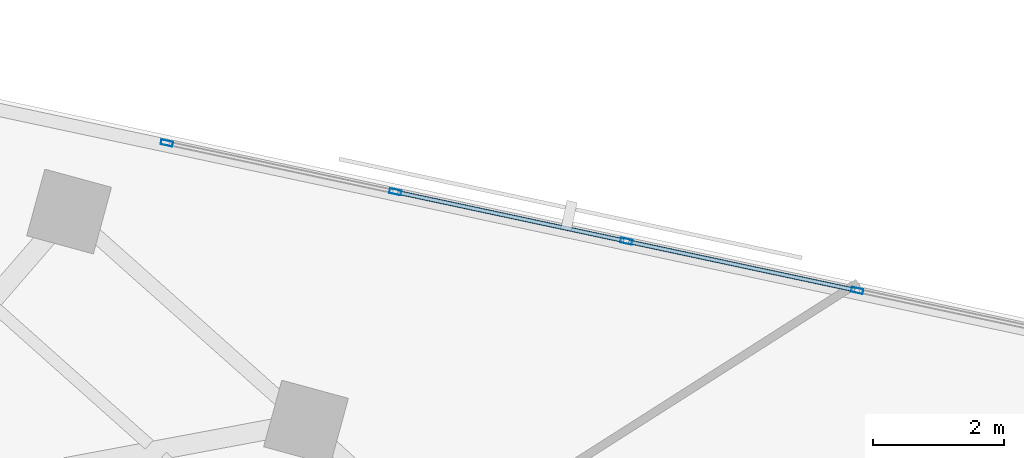
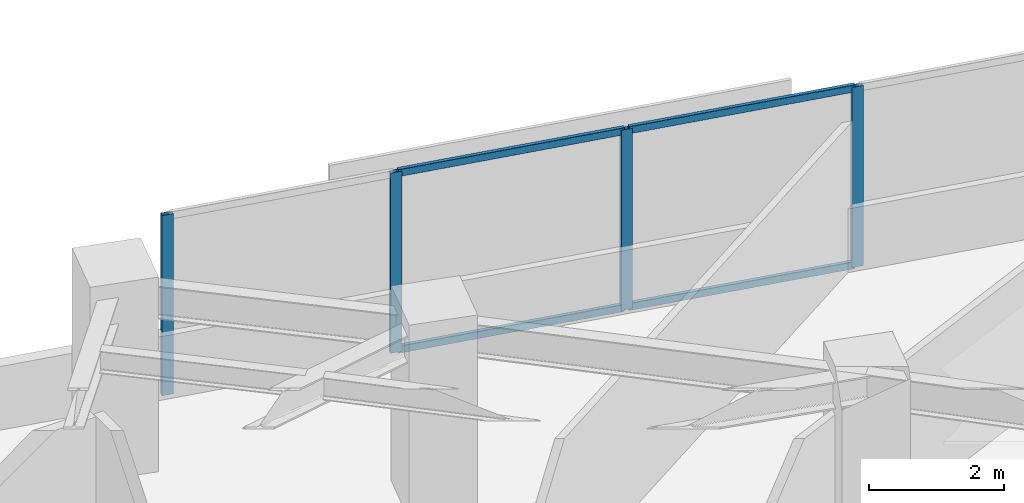
# One storey, part 4 of 13: 8 members, 1 element without a shape of its own.
"""IFC4 building model written with IfcOpenShell, lengths in metres."""

from ifc_helpers import new_model, si_unit, direction, frame, origin, origin_2d, place, context, subcontext, project, spatial, hollow_rectangle, extrude, material, material_profile, profile_set, type_object, element, aggregate, save


model = new_model("IFC4")

# Units and contexts
model_context = context("Model", 3, precision=1e-05, world=origin(), true_north=direction((0.0, 1.0)))
body_context = subcontext(model_context, "Body", "Model", "MODEL_VIEW")
ifc_project = project(units=[si_unit("LENGTHUNIT", "METRE"), si_unit("AREAUNIT", "SQUARE_METRE"), si_unit("VOLUMEUNIT", "CUBIC_METRE"), si_unit("PLANEANGLEUNIT", "RADIAN"), si_unit("MASSUNIT", "GRAM", prefix="KILO")], contexts=[model_context])

# Site, building, storey
site_placement = place(None, origin())
site = spatial("IfcSite", under=ifc_project, at=site_placement, CompositionType="ELEMENT")
building_placement = place(site_placement, origin())
building = spatial("IfcBuilding", under=site, at=building_placement, Name="Narakoshi Arena Tower", CompositionType="ELEMENT")
storey_placement = place(building_placement, frame((0.0, 0.0, 225.5400390625)))
storey = spatial("IfcBuildingStorey", under=building, at=storey_placement, Name="L61", CompositionType="ELEMENT", Elevation=225.5400390625)

# Curtain wall, members
ifc_material = material(Name="Anodised bronze aluminium 6063-T6", Category="aluminium")
curtain_wall_type = type_object("IfcCurtainWallType", Name="CW-HYP-MID", PredefinedType="NOTDEFINED", material=ifc_material)
curtain_wall_placement = place(storey_placement, origin())
curtain_wall = element("IfcCurtainWall", 1, at=curtain_wall_placement, inside=storey, type_object=curtain_wall_type, Name="L61 Folded Hypotenuse Curtain Wall 1-1", PredefinedType="NOTDEFINED")
ifc_material_profile_1 = material_profile(ifc_material, hollow_rectangle(XDim=0.074951171875, YDim=0.179931640625, WallThickness=0.00390625, OuterFilletRadius=0.0048828125, at=origin_2d()), Name="MUL180x75x4")
ifc_profile_set_1 = profile_set([ifc_material_profile_1], Name="Anodised bronze aluminium 6063-T6")
member_type_1 = type_object("IfcMemberType", Name="MEM-MUL-180", PredefinedType="MULLION", material=ifc_profile_set_1)
member_1_placement = place(storey_placement, frame((101.553955078125, 59.932861328125, 0.0), z_axis=(0.0, 0.0, 1.0), x_axis=(-0.208899163248, -0.977937185914, 0.0)))
member_1 = element("IfcMember", 2, at=member_1_placement, type_object=member_type_1, Name="CW-02 mullion 5", PredefinedType="MULLION", context=body_context, shape_type="SweptSolid", body=[
    extrude(hollow_rectangle(XDim=0.074951171875, YDim=0.179931640625, WallThickness=0.00390625, OuterFilletRadius=0.0048828125, at=origin_2d()), origin(), (0.0, 0.0, 1.0), 3.260009765625),
])
member_2_placement = place(storey_placement, frame((98.0400390625, 60.68359375, 0.0), z_axis=(0.0, 0.0, 1.0), x_axis=(-0.208899163248, -0.977937185914, 0.0)))
member_2 = element("IfcMember", 3, at=member_2_placement, type_object=member_type_1, Name="CW-02 mullion 6", PredefinedType="MULLION", context=body_context, shape_type="SweptSolid", body=[
    extrude(hollow_rectangle(XDim=0.074951171875, YDim=0.179931640625, WallThickness=0.00390625, OuterFilletRadius=0.0048828125, at=origin_2d()), origin(), (0.0, 0.0, 1.0), 3.260009765625),
])
member_3_placement = place(storey_placement, frame((94.52587890625, 61.434326171875, 0.0), z_axis=(0.0, 0.0, 1.0), x_axis=(-0.208899163248, -0.977937185914, 0.0)))
member_3 = element("IfcMember", 4, at=member_3_placement, type_object=member_type_1, Name="CW-02 mullion 7", PredefinedType="MULLION", context=body_context, shape_type="SweptSolid", body=[
    extrude(hollow_rectangle(XDim=0.074951171875, YDim=0.179931640625, WallThickness=0.00390625, OuterFilletRadius=0.0048828125, at=origin_2d()), origin(), (0.0, 0.0, 1.0), 3.260009765625),
])
member_4_placement = place(storey_placement, frame((91.04833984375, 62.177001953125, 0.0), z_axis=(0.0, 0.0, 1.0), x_axis=(-0.208899163248, -0.977937185914, 0.0)))
member_4 = element("IfcMember", 5, at=member_4_placement, type_object=member_type_1, Name="CW-02 mullion 8", PredefinedType="MULLION", context=body_context, shape_type="SweptSolid", body=[
    extrude(hollow_rectangle(XDim=0.074951171875, YDim=0.179931640625, WallThickness=0.00390625, OuterFilletRadius=0.0048828125, at=origin_2d()), origin(), (0.0, 0.0, 1.0), 3.260009765625),
])
ifc_material_profile_2 = material_profile(ifc_material, hollow_rectangle(XDim=0.06494140625, YDim=0.1298828125, WallThickness=0.00390625, OuterFilletRadius=0.0048828125, at=origin_2d()), Name="TRN130x65x4")
ifc_profile_set_2 = profile_set([ifc_material_profile_2], Name="Anodised bronze aluminium 6063-T6")
member_type_2 = type_object("IfcMemberType", Name="MEM-TRN-130", PredefinedType="USERDEFINED", material=ifc_profile_set_2)
member_5_placement = place(storey_placement, frame((101.517333984375, 59.940673828125, 0.032470703125), z_axis=(-0.977929169638, 0.208936686992, 0.0), x_axis=(-0.208936686992, -0.977929169638, 0.0)))
member_5 = element("IfcMember", 6, at=member_5_placement, type_object=member_type_2, Name="CW-02 transom 5.1", ObjectType="TRANSOM", PredefinedType="USERDEFINED", context=body_context, shape_type="SweptSolid", body=[
    extrude(hollow_rectangle(XDim=0.06494140625, YDim=0.1298828125, WallThickness=0.00390625, OuterFilletRadius=0.0048828125, at=origin_2d()), origin(), (0.0, 0.0, 1.0), 3.518310546875),
])
member_6_placement = place(storey_placement, frame((101.517333984375, 59.940673828125, 3.2275390625), z_axis=(-0.977929169638, 0.208936686992, 0.0), x_axis=(-0.208936686992, -0.977929169638, 0.0)))
member_6 = element("IfcMember", 7, at=member_6_placement, type_object=member_type_2, Name="CW-02 transom 5.2", ObjectType="TRANSOM", PredefinedType="USERDEFINED", context=body_context, shape_type="SweptSolid", body=[
    extrude(hollow_rectangle(XDim=0.06494140625, YDim=0.1298828125, WallThickness=0.00390625, OuterFilletRadius=0.0048828125, at=origin_2d()), origin(), (0.0, 0.0, 1.0), 3.518310546875),
])
member_7_placement = place(storey_placement, frame((98.003173828125, 60.69140625, 0.032470703125), z_axis=(-0.977929169638, 0.208936686992, 0.0), x_axis=(-0.208936686992, -0.977929169638, 0.0)))
member_7 = element("IfcMember", 8, at=member_7_placement, type_object=member_type_2, Name="CW-02 transom 6.1", ObjectType="TRANSOM", PredefinedType="USERDEFINED", context=body_context, shape_type="SweptSolid", body=[
    extrude(hollow_rectangle(XDim=0.06494140625, YDim=0.1298828125, WallThickness=0.00390625, OuterFilletRadius=0.0048828125, at=origin_2d()), origin(), (0.0, 0.0, 1.0), 3.518310546875),
])
member_8_placement = place(storey_placement, frame((98.003173828125, 60.69140625, 3.2275390625), z_axis=(-0.977929169638, 0.208936686992, 0.0), x_axis=(-0.208936686992, -0.977929169638, 0.0)))
member_8 = element("IfcMember", 9, at=member_8_placement, type_object=member_type_2, Name="CW-02 transom 6.2", ObjectType="TRANSOM", PredefinedType="USERDEFINED", context=body_context, shape_type="SweptSolid", body=[
    extrude(hollow_rectangle(XDim=0.06494140625, YDim=0.1298828125, WallThickness=0.00390625, OuterFilletRadius=0.0048828125, at=origin_2d()), origin(), (0.0, 0.0, 1.0), 3.518310546875),
])
aggregate(curtain_wall, [member_1, member_2, member_3, member_4, member_5, member_6, member_7, member_8])

save(model, "model.ifc")
